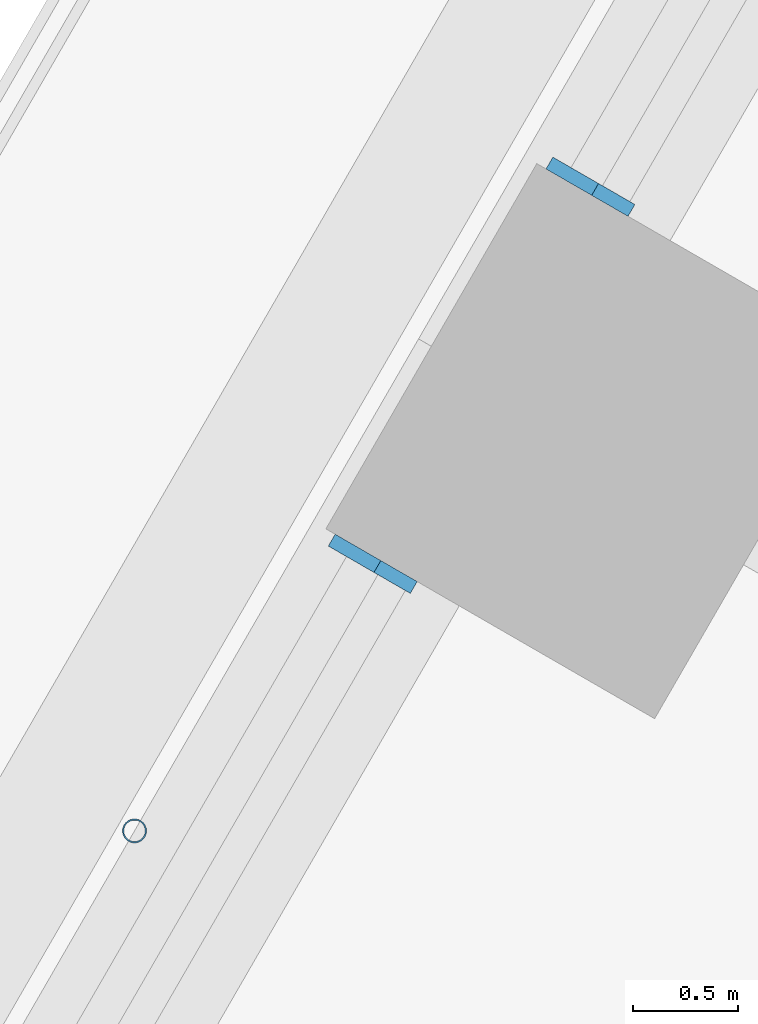
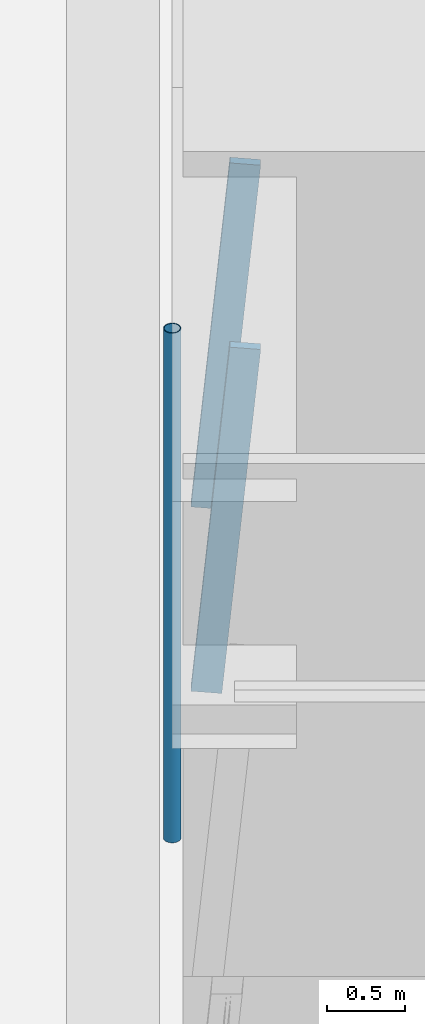
# One storey, part 7 of 23: 3 members, 2 elements without a shape of their own.
"""IFC4 building model written with IfcOpenShell, lengths in metres."""

from ifc_helpers import new_model, si_unit, direction, frame, origin, origin_2d, place, context, subcontext, project, spatial, rectangle, hollow_circle, extrude, material, material_profile, profile_set, type_object, element, aggregate, save


model = new_model("IFC4")

# Units and contexts
model_context = context("Model", 3, precision=1e-05, world=origin(), true_north=direction((0.0, 1.0)))
body_context = subcontext(model_context, "Body", "Model", "MODEL_VIEW")
ifc_project = project(units=[si_unit("LENGTHUNIT", "METRE"), si_unit("AREAUNIT", "SQUARE_METRE"), si_unit("VOLUMEUNIT", "CUBIC_METRE"), si_unit("PLANEANGLEUNIT", "RADIAN"), si_unit("MASSUNIT", "GRAM", prefix="KILO")], contexts=[model_context])

# Site, building, storey
site_placement = place(None, origin())
site = spatial("IfcSite", under=ifc_project, at=site_placement, CompositionType="ELEMENT")
building_placement = place(site_placement, origin())
building = spatial("IfcBuilding", under=site, at=building_placement, Name="Tarfa Lantern Tower", CompositionType="ELEMENT")
storey_placement = place(building_placement, frame((0.0, 0.0, 52.89990234375)))
storey = spatial("IfcBuildingStorey", under=building, at=storey_placement, Name="L11", CompositionType="ELEMENT", Elevation=52.89990234375)

# Curtain wall, member
ifc_material_1 = material(Name="Aluminium framed curtain wall", Category="aluminium")
curtain_wall_type = type_object("IfcCurtainWallType", Name="CW1 CANTED GLAZING LOW ZONE 2700", PredefinedType="USERDEFINED", material=ifc_material_1)
curtain_wall_1_placement = place(storey_placement, origin())
curtain_wall_1 = element("IfcCurtainWall", 1, at=curtain_wall_1_placement, inside=storey, type_object=curtain_wall_type, Name="CW1 NW L11", ObjectType="CURTAIN WALL", PredefinedType="USERDEFINED")
ifc_material_2 = material(Name="Aluminium mullion", Category="aluminium")
ifc_material_profile_1 = material_profile(ifc_material_2, rectangle(XDim=0.06494140625, YDim=0.199951171875, at=origin_2d()), Name="AL MULLION 65x200")
ifc_profile_set_1 = profile_set([ifc_material_profile_1], Name="Aluminium mullion")
member_type_1 = type_object("IfcMemberType", Name="CWM1 MULLION 65x200", PredefinedType="MULLION", material=ifc_profile_set_1)
member_1_placement = place(storey_placement, frame((-31.536376953125, 13.177490234375, 0.0), z_axis=(0.079857261722, -0.046095736191, 0.995739926314), x_axis=(0.499919672301, 0.866071776036, 0.0)))
member_1 = element("IfcMember", 2, at=member_1_placement, type_object=member_type_1, Name="CW1 mullion 2", PredefinedType="MULLION", context=body_context, shape_type="SweptSolid", body=[
    extrude(rectangle(XDim=0.06494140625, YDim=0.199951171875, at=origin_2d()), origin(), (0.0, 0.0, 1.0), 2.711669921875),
])
aggregate(curtain_wall_1, [member_1])

curtain_wall_2_placement = place(storey_placement, origin())
curtain_wall_2 = element("IfcCurtainWall", 3, at=curtain_wall_2_placement, inside=storey, type_object=curtain_wall_type, Name="CW1 NW L11", ObjectType="CURTAIN WALL", PredefinedType="USERDEFINED")
member_2_placement = place(storey_placement, frame((-32.56884765625, 11.38916015625, 0.0), z_axis=(0.079857261722, -0.046095736191, 0.995739926314), x_axis=(0.499919672301, 0.866071776036, 0.0)))
member_2 = element("IfcMember", 4, at=member_2_placement, type_object=member_type_1, Name="CW1 mullion 1", PredefinedType="MULLION", context=body_context, shape_type="SweptSolid", body=[
    extrude(rectangle(XDim=0.06494140625, YDim=0.199951171875, at=origin_2d()), origin(), (0.0, 0.0, 1.0), 2.711669921875),
])
aggregate(curtain_wall_2, [member_2])

# Member
ifc_material_3 = material(Name="Steel S355", Category="steel")
ifc_material_profile_2 = material_profile(ifc_material_3, hollow_circle(Radius=0.05712890625, WallThickness=0.00634765625, at=origin_2d()), Name="CHS114.3x6.3")
ifc_profile_set_2 = profile_set([ifc_material_profile_2], Name="Steel S355")
member_type_2 = type_object("IfcMemberType", Name="TR1 GREEN WALL TRELLIS CHS114.3x6.3", PredefinedType="USERDEFINED", material=ifc_profile_set_2)
member_3_placement = place(storey_placement, frame((-33.59033203125, 10.06005859375, 0.0), z_axis=(0.0, 0.0, 1.0), x_axis=(1.0, 0.0, 0.0)))
element("IfcMember", 5, at=member_3_placement, inside=storey, type_object=member_type_2, Name="Trellis post NW 2", ObjectType="TRELLIS", PredefinedType="USERDEFINED", context=body_context, shape_type="SweptSolid", body=[
    extrude(hollow_circle(Radius=0.05712890625, WallThickness=0.00634765625, at=origin_2d()), origin(), (0.0, 0.0, 1.0), 4.0),
])

save(model, "model.ifc")
